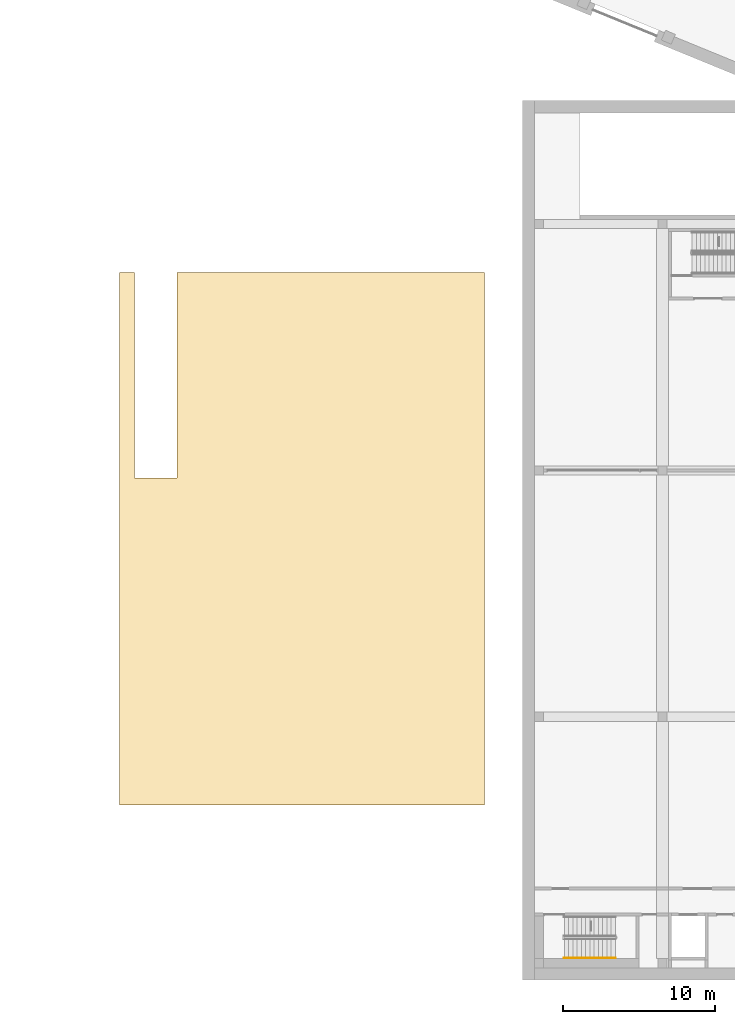
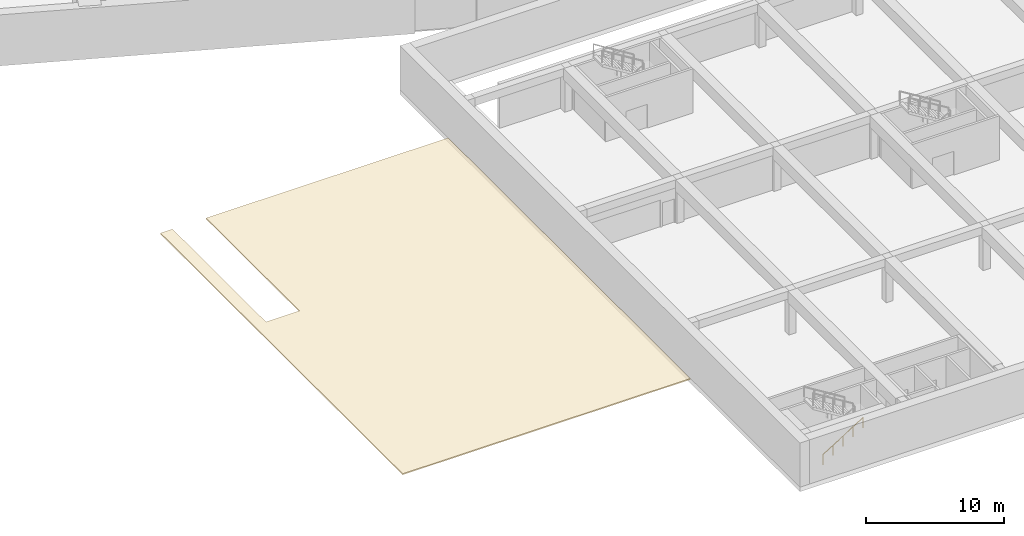
# One storey, part 15 of 23: 1 covering, 1 railing.
"""IFC4 building model written with IfcOpenShell, lengths in metres."""

from ifc_helpers import new_model, si_unit, direction, frame, origin, origin_2d, place, context, subcontext, project, spatial, polyline, circle, outline, extrude, material, layer, layer_set, type_object, element, save


model = new_model("IFC4")

# Units and contexts
model_context = context("Model", 3, precision=1e-05, world=origin(), true_north=direction((0.0, 1.0)))
body_context = subcontext(model_context, "Body", "Model", "MODEL_VIEW")
ifc_project = project(units=[si_unit("LENGTHUNIT", "METRE"), si_unit("AREAUNIT", "SQUARE_METRE"), si_unit("VOLUMEUNIT", "CUBIC_METRE"), si_unit("PLANEANGLEUNIT", "RADIAN"), si_unit("MASSUNIT", "GRAM", prefix="KILO")], contexts=[model_context])

# Site, building, storey
site_placement = place(None, origin())
site = spatial("IfcSite", under=ifc_project, at=site_placement, CompositionType="ELEMENT")
building_placement = place(site_placement, origin())
building = spatial("IfcBuilding", under=site, at=building_placement, Name="Stone Belt Terrace Tower", CompositionType="ELEMENT")
storey_placement = place(building_placement, frame((0.0, 0.0, -4.5)))
storey = spatial("IfcBuildingStorey", under=building, at=storey_placement, Name="B1", CompositionType="ELEMENT", Elevation=-4.5)

# Railing
ifc_material_1 = material(Name="Stainless steel", Category="steel")
railing_type = type_object("IfcRailingType", Name="Car park handrail 900", PredefinedType="HANDRAIL", material=ifc_material_1)
railing_placement = place(storey_placement, frame((-30.75, -50.050048828125, 0.173095703125)))
element("IfcRailing", 1, at=railing_placement, inside=storey, type_object=railing_type, Name="B1 CS1 stair handrail 1", PredefinedType="HANDRAIL", context=body_context, shape_type="SweptSolid", body=[
    extrude(circle(Radius=0.02392578125, at=origin_2d()), frame((0.0, 0.0, 0.8759765625), z_axis=(0.850623216509, 0.0, 0.525775754039), x_axis=(0.0, 1.0, 0.0)), (0.0, 0.0, 1.0), 3.9501953125),
    extrude(circle(Radius=0.02099609375, at=origin_2d()), origin(), (0.0, 0.0, 1.0), 0.851806640625),
    extrude(circle(Radius=0.02099609375, at=origin_2d()), frame((0.840087890625, 0.0, 0.519287109375)), (0.0, 0.0, 1.0), 0.851806640625),
    extrude(circle(Radius=0.02099609375, at=origin_2d()), frame((1.68017578125, 0.0, 1.03857421875)), (0.0, 0.0, 1.0), 0.851806640625),
    extrude(circle(Radius=0.02099609375, at=origin_2d()), frame((2.52001953125, 0.0, 1.5576171875)), (0.0, 0.0, 1.0), 0.851806640625),
    extrude(circle(Radius=0.02099609375, at=origin_2d()), frame((3.360107421875, 0.0, 2.076904296875)), (0.0, 0.0, 1.0), 0.851806640625),
])

# Covering
ifc_material_2 = material(Name="Granite paving", Category="masonry")
ifc_layer = layer(ifc_material_2, 0.10009765625)
ifc_layer_set = layer_set([ifc_layer], Name="Paving covering 100")
covering_type = type_object("IfcCoveringType", Name="Paving covering 100", PredefinedType="FLOORING", material=ifc_layer_set)
covering_placement = place(storey_placement, frame((0.0, 0.0, 3.39990234375)))
element("IfcCovering", 2, at=covering_placement, inside=storey, type_object=covering_type, Name="Rain garden court paving", PredefinedType="FLOORING", context=body_context, shape_type="SweptSolid", body=[
    extrude(outline(polyline([(-60.0, -40.0), (-36.0, -40.0), (-36.0, -5.0), (-56.199951171875, -5.0), (-56.199951171875, -18.5), (-56.699951171875, -18.5), (-58.5, -18.5), (-59.0, -18.5), (-59.0, -5.0), (-60.0, -5.0), (-60.0, -40.0)])), origin(), (0.0, 0.0, 1.0), 0.10009765625),
])

save(model, "model.ifc")
